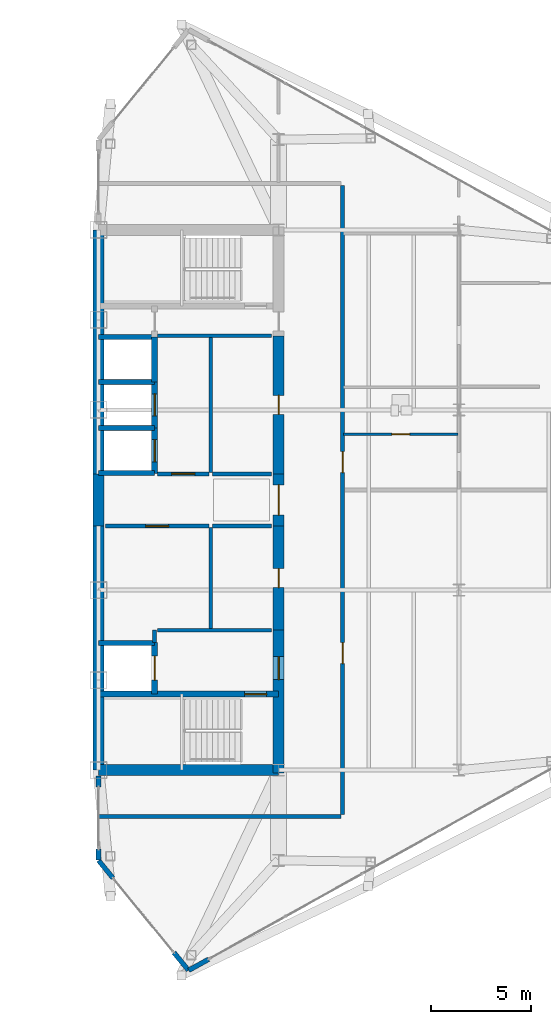
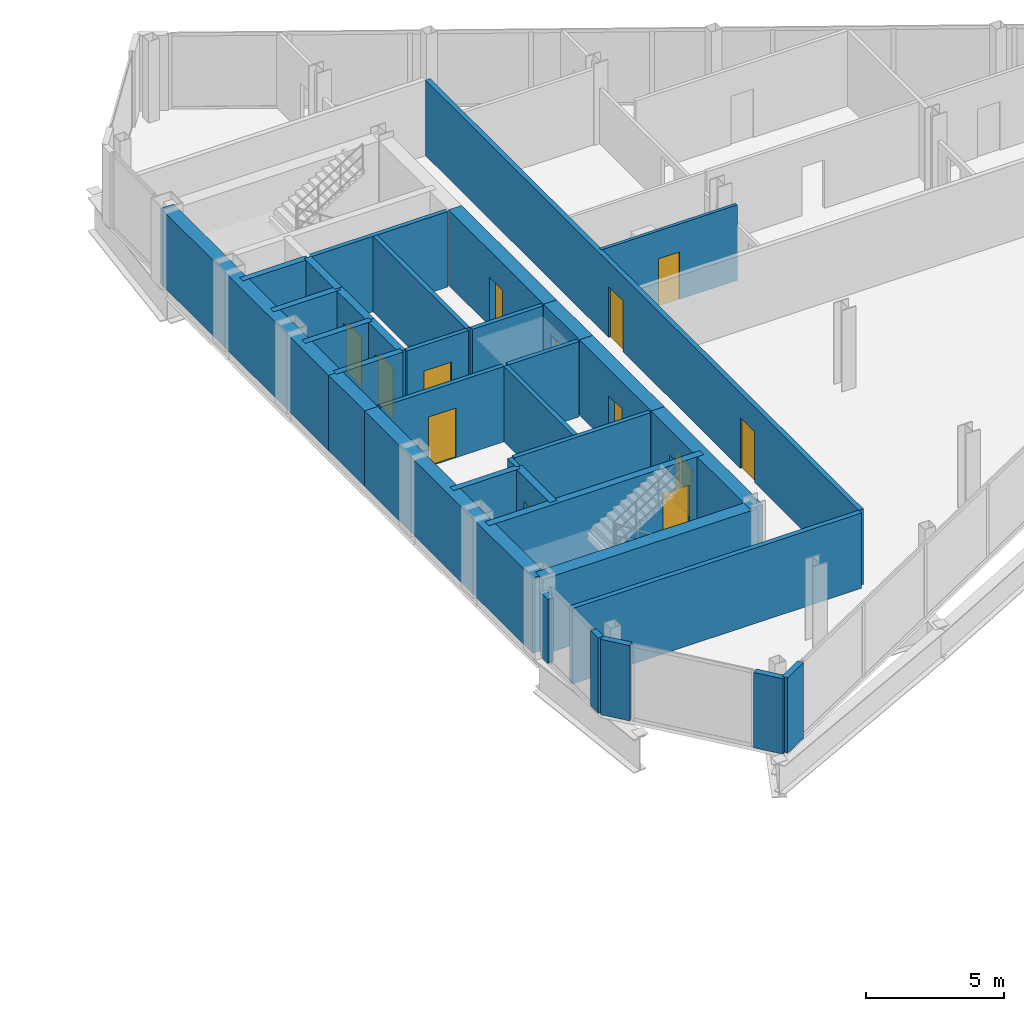
# One storey, part 23 of 28: 35 walls, 13 doors, 13 openings.
"""IFC4 building model written with IfcOpenShell, lengths in metres."""

from ifc_helpers import new_model, si_unit, direction, frame, frame_2d, origin, place, context, subcontext, project, spatial, rectangle, extrude, source, transform, mapped, material, layer, layer_set, type_object, type_shapes, element, fill, save


model = new_model("IFC4")

# Units and contexts
model_context = context("Model", 3, precision=1e-05, world=origin(), true_north=direction((0.0, 1.0)))
body_context = subcontext(model_context, "Body", "Model", "MODEL_VIEW")
ifc_project = project(units=[si_unit("LENGTHUNIT", "METRE"), si_unit("AREAUNIT", "SQUARE_METRE"), si_unit("VOLUMEUNIT", "CUBIC_METRE"), si_unit("PLANEANGLEUNIT", "RADIAN"), si_unit("MASSUNIT", "GRAM", prefix="KILO")], contexts=[model_context])

# Site, building, storey
site_placement = place(None, origin())
site = spatial("IfcSite", under=ifc_project, at=site_placement, CompositionType="ELEMENT")
building_placement = place(site_placement, origin())
building = spatial("IfcBuilding", under=site, at=building_placement, Name="Seokmaru Belvedere", CompositionType="ELEMENT")
storey_placement = place(building_placement, frame((0.0, 0.0, 158.39990234375)))
storey = spatial("IfcBuildingStorey", under=building, at=storey_placement, Name="L42", CompositionType="ELEMENT", Elevation=158.39990234375)

# Walls
ifc_material_1 = material(Name="Fire-Rated Gypsum Shaftwall")
ifc_layer_1 = layer(ifc_material_1, 0.179931640625)
ifc_layer_set_1 = layer_set([ifc_layer_1], Name="Fire-Rated Gypsum Shaftwall")
wall_type_1 = type_object("IfcWallType", Name="Core Service Fire Partition 180", PredefinedType="PARTITIONING", material=ifc_layer_set_1)
wall_1_placement = place(storey_placement, frame((30.449951171875, -6.5, 0.0), z_axis=(0.0, 0.0, 1.0), x_axis=(1.0, 0.0, 0.0)))
element("IfcWall", 1, at=wall_1_placement, inside=storey, type_object=wall_type_1, Name="L42 East Firefighting Lobby Partition", PredefinedType="PARTITIONING", context=body_context, shape_type="SweptSolid", body=[
    extrude(rectangle(XDim=5.699951171875, YDim=0.179931640625, at=frame_2d((2.85009765625, 0.0))), origin(), (0.0, 0.0, 1.0), 3.340087890625),
])
wall_2_placement = place(storey_placement, frame((30.300048828125, -7.1201171875, 0.0), z_axis=(0.0, 0.0, 1.0), x_axis=(0.0, 1.0, 0.0)))
element("IfcWall", 2, at=wall_2_placement, inside=storey, type_object=wall_type_1, Name="L42 East Firefighting Lobby East Closure Wall", PredefinedType="PARTITIONING", context=body_context, shape_type="SweptSolid", body=[
    extrude(rectangle(XDim=0.6201171875, YDim=0.179931640625, at=frame_2d((0.31005859375, 0.0))), origin(), (0.0, 0.0, 1.0), 3.340087890625),
])
wall_3_placement = place(storey_placement, frame((30.449951171875, 8.199951171875, 0.0), z_axis=(0.0, 0.0, 1.0), x_axis=(1.0, 0.0, 0.0)))
element("IfcWall", 3, at=wall_3_placement, inside=storey, type_object=wall_type_1, Name="L42 East Smokeproof Vestibule Partition", PredefinedType="PARTITIONING", context=body_context, shape_type="SweptSolid", body=[
    extrude(rectangle(XDim=5.699951171875, YDim=0.179931640625, at=frame_2d((2.85009765625, 0.0))), origin(), (0.0, 0.0, 1.0), 3.340087890625),
])
wall_4_placement = place(storey_placement, frame((33.10009765625, -6.419921875, 0.0), z_axis=(0.0, 0.0, 1.0), x_axis=(0.0, 1.0, 0.0)))
element("IfcWall", 4, at=wall_4_placement, inside=storey, type_object=wall_type_1, Name="L42 East South Core Service Back Wall", PredefinedType="PARTITIONING", context=body_context, shape_type="SweptSolid", body=[
    extrude(rectangle(XDim=5.0400390625, YDim=0.179931640625, at=frame_2d((2.52001953125, 0.0))), origin(), (0.0, 0.0, 1.0), 3.340087890625),
])
wall_5_placement = place(storey_placement, frame((33.10009765625, 1.3798828125, 0.0), z_axis=(0.0, 0.0, 1.0), x_axis=(0.0, 1.0, 0.0)))
element("IfcWall", 5, at=wall_5_placement, inside=storey, type_object=wall_type_1, Name="L42 East North Core Service Back Wall", PredefinedType="PARTITIONING", context=body_context, shape_type="SweptSolid", body=[
    extrude(rectangle(XDim=6.740234375, YDim=0.179931640625, at=frame_2d((3.3701171875, 0.0))), origin(), (0.0, 0.0, 1.0), 3.340087890625),
])

# Wall, opening, door
wall_6_placement = place(storey_placement, frame((27.85009765625, -1.300048828125, 0.0), z_axis=(0.0, 0.0, 1.0), x_axis=(1.0, 0.0, 0.0)))
wall_6 = element("IfcWall", 6, at=wall_6_placement, inside=storey, type_object=wall_type_1, Name="L42 East South Lift Lobby Foyer Wall", PredefinedType="PARTITIONING", context=body_context, shape_type="SweptSolid", body=[
    extrude(rectangle(XDim=5.169921875, YDim=0.179931640625, at=frame_2d((2.5849609375, 0.0))), origin(), (0.0, 0.0, 1.0), 3.340087890625),
])
opening_1_placement = place(wall_6_placement, frame((2.010009765625, 0.0, 0.0)))
opening_1 = element("IfcOpeningElement", 7, at=opening_1_placement, cuts=wall_6, Name="Opening D02", PredefinedType="OPENING", context=body_context, shape_type="SweptSolid", body=[
    extrude(rectangle(XDim=1.14990234375, YDim=2.199951171875, at=frame_2d((0.574951171875, 1.10009765625))), frame((0.0, 0.10009765625, 0.0), z_axis=(0.0, -1.0, 0.0), x_axis=(1.0, 0.0, 0.0)), (0.0, 0.0, 1.0), 0.199951171875),
])
ifc_material_2 = material(Name="Fire-Rated Steel Leaf", Category="steel")
door_type_1 = type_object("IfcDoorType", Name="Lobby and Vestibule Fire Door 1150x2200", OperationType="NOTDEFINED", PredefinedType="DOOR", material=ifc_material_2)
shared_shape_1 = source(origin(), body_context, "Body", "SweptSolid", [
    extrude(rectangle(XDim=1.14990234375, YDim=2.199951171875, at=frame_2d((0.574951171875, 1.10009765625))), frame((0.0, 0.02490234375, 0.0), z_axis=(0.0, -1.0, 0.0), x_axis=(1.0, 0.0, 0.0)), (0.0, 0.0, 1.0), 0.050048828125),
])
type_shapes(door_type_1, [shared_shape_1])
door_1_placement = place(opening_1_placement, origin())
door_1 = element("IfcDoor", 8, at=door_1_placement, inside=storey, type_object=door_type_1, Name="L42 East South Core Foyer Door", OperationType="SINGLE_SWING_RIGHT", OverallHeight=2.199951171875, OverallWidth=1.14990234375, PredefinedType="DOOR", context=body_context, shape_type="MappedRepresentation", body=[
    mapped(shared_shape_1, transform((0.0, 0.0, 0.0), scale=1.0)),
])
fill(opening_1, door_1)

wall_7_placement = place(storey_placement, frame((30.449951171875, 1.300048828125, 0.0), z_axis=(0.0, 0.0, 1.0), x_axis=(1.0, 0.0, 0.0)))
wall_7 = element("IfcWall", 9, at=wall_7_placement, inside=storey, type_object=wall_type_1, Name="L42 East North Lift Lobby Foyer Wall", PredefinedType="PARTITIONING", context=body_context, shape_type="SweptSolid", body=[
    extrude(rectangle(XDim=2.570068359375, YDim=0.179931640625, at=frame_2d((1.28515625, 0.0))), origin(), (0.0, 0.0, 1.0), 3.340087890625),
])
opening_2_placement = place(wall_7_placement, frame((0.7099609375, 0.0, 0.0)))
opening_2 = element("IfcOpeningElement", 10, at=opening_2_placement, cuts=wall_7, Name="Opening D02", PredefinedType="OPENING", context=body_context, shape_type="SweptSolid", body=[
    extrude(rectangle(XDim=1.14990234375, YDim=2.199951171875, at=frame_2d((0.574951171875, 1.10009765625))), frame((0.0, 0.10009765625, 0.0), z_axis=(0.0, -1.0, 0.0), x_axis=(1.0, 0.0, 0.0)), (0.0, 0.0, 1.0), 0.199951171875),
])
door_2_placement = place(opening_2_placement, origin())
door_2 = element("IfcDoor", 11, at=door_2_placement, inside=storey, type_object=door_type_1, Name="L42 East North Lift Lobby Door", OperationType="SINGLE_SWING_LEFT", OverallHeight=2.199951171875, OverallWidth=1.14990234375, PredefinedType="DOOR", context=body_context, shape_type="MappedRepresentation", body=[
    mapped(shared_shape_1, transform((0.0, 0.0, 0.0), scale=1.0)),
])
fill(opening_2, door_2)

# Walls
for number, where, z_axis, x_axis, name in (
    (12, (33.199951171875, -1.300048828125, 0.0), (0.0, 0.0, 1.0), (1.0, 0.0, 0.0), "L42 East Foyer Side Wall S"),
    (13, (33.199951171875, 1.300048828125, 0.0), (0.0, 0.0, 1.0), (1.0, 0.0, 0.0), "L42 East Foyer Side Wall N"),
):
    element("IfcWall", number, at=place(storey_placement, frame(where, z_axis=z_axis, x_axis=x_axis)), inside=storey, type_object=wall_type_1, Name=name, PredefinedType="PARTITIONING", context=body_context, shape_type="SweptSolid", body=[
        extrude(rectangle(XDim=2.949951171875, YDim=0.179931640625, at=frame_2d((1.47509765625, 0.0))), origin(), (0.0, 0.0, 1.0), 3.340087890625),
    ])
ifc_material_3 = material(Name="Concrete C50 (50 MPa)", Category="concrete")
ifc_layer_2 = layer(ifc_material_3, 0.25)
ifc_layer_set_2 = layer_set([ifc_layer_2], Name="Concrete C50 (50 MPa)")
wall_type_2 = type_object("IfcWallType", Name="Hoistway Transverse Concrete Divider Wall 250", PredefinedType="SHEAR", material=ifc_layer_set_2)
for number, where, z_axis, x_axis, name in (
    (14, (27.5, -7.14990234375, 0.0), (0.0, 0.0, 1.0), (1.0, 0.0, 0.0), "L42 East Hoistway Divider Core Wall 1"),
    (15, (27.5, 1.35009765625, 0.0), (0.0, 0.0, 1.0), (1.0, 0.0, 0.0), "L42 East Hoistway Divider Core Wall 2"),
    (16, (27.5, 3.60009765625, 0.0), (0.0, 0.0, 1.0), (1.0, 0.0, 0.0), "L42 East Hoistway Divider Core Wall 3"),
    (17, (27.5, 5.89990234375, 0.0), (0.0, 0.0, 1.0), (1.0, 0.0, 0.0), "L42 East Hoistway Divider Core Wall 4"),
    (18, (27.5, 8.14990234375, 0.0), (0.0, 0.0, 1.0), (1.0, 0.0, 0.0), "L42 East Hoistway Divider Core Wall 5"),
):
    element("IfcWall", number, at=place(storey_placement, frame(where, z_axis=z_axis, x_axis=x_axis)), inside=storey, type_object=wall_type_2, Name=name, PredefinedType="SHEAR", context=body_context, shape_type="SweptSolid", body=[
        extrude(rectangle(XDim=2.800048828125, YDim=0.25, at=frame_2d((1.39990234375, 0.0))), origin(), (0.0, 0.0, 1.0), 3.340087890625),
    ])
ifc_layer_3 = layer(ifc_material_1, 0.199951171875)
ifc_layer_set_3 = layer_set([ifc_layer_3], Name="Fire-Rated Gypsum Shaftwall")
wall_type_3 = type_object("IfcWallType", Name="Inter-Tenancy Fire Compartment Partition 200", PredefinedType="PARTITIONING", material=ifc_layer_set_3)
wall_8_placement = place(storey_placement, frame((27.5, -15.800048828125, 0.0), z_axis=(0.0, 0.0, 1.0), x_axis=(1.0, 0.0, 0.0)))
element("IfcWall", 19, at=wall_8_placement, inside=storey, type_object=wall_type_3, Name="L42 Interior Partition 002", PredefinedType="PARTITIONING", context=body_context, shape_type="SweptSolid", body=[
    extrude(rectangle(XDim=12.114990234375, YDim=0.199951171875, at=frame_2d((6.0576171875, 0.0))), origin(), (0.0, 0.0, 1.0), 3.340087890625),
])

# Wall, openings, doors
wall_9_placement = place(storey_placement, frame((39.699951171875, -15.715087890625, 0.0), z_axis=(0.0, 0.0, 1.0), x_axis=(0.0, 1.0, 0.0)))
wall_9 = element("IfcWall", 20, at=wall_9_placement, inside=storey, type_object=wall_type_3, Name="L42 Interior Partition 030", PredefinedType="PARTITIONING", context=body_context, shape_type="SweptSolid", body=[
    extrude(rectangle(XDim=31.43017578125, YDim=0.199951171875, at=frame_2d((15.715087890625, 0.0))), origin(), (0.0, 0.0, 1.0), 3.340087890625),
])
opening_3_placement = place(wall_9_placement, frame((7.5400390625, 0.0, 0.0)))
opening_3 = element("IfcOpeningElement", 21, at=opening_3_placement, cuts=wall_9, Name="Opening D03", PredefinedType="OPENING", context=body_context, shape_type="SweptSolid", body=[
    extrude(rectangle(XDim=1.050048828125, YDim=2.25, at=frame_2d((0.52490234375, 1.125))), frame((0.0, 0.10986328125, 0.0), z_axis=(0.0, -1.0, 0.0), x_axis=(1.0, 0.0, 0.0)), (0.0, 0.0, 1.0), 0.219970703125),
])
opening_4_placement = place(wall_9_placement, frame((17.08740234375, 0.0, 0.0)))
opening_4 = element("IfcOpeningElement", 22, at=opening_4_placement, cuts=wall_9, Name="Opening D03", PredefinedType="OPENING", context=body_context, shape_type="SweptSolid", body=[
    extrude(rectangle(XDim=1.050048828125, YDim=2.25, at=frame_2d((0.52490234375, 1.125))), frame((0.0, 0.10986328125, 0.0), z_axis=(0.0, -1.0, 0.0), x_axis=(1.0, 0.0, 0.0)), (0.0, 0.0, 1.0), 0.219970703125),
])
door_type_2 = type_object("IfcDoorType", Name="Apartment Entrance Fire Door 1050x2250", OperationType="NOTDEFINED", PredefinedType="DOOR", material=ifc_material_2)
shared_shape_2 = source(origin(), body_context, "Body", "SweptSolid", [
    extrude(rectangle(XDim=1.050048828125, YDim=2.25, at=frame_2d((0.52490234375, 1.125))), frame((0.0, 0.02490234375, 0.0), z_axis=(0.0, -1.0, 0.0), x_axis=(1.0, 0.0, 0.0)), (0.0, 0.0, 1.0), 0.050048828125),
])
type_shapes(door_type_2, [shared_shape_2])
door_3_placement = place(opening_3_placement, origin())
door_3 = element("IfcDoor", 23, at=door_3_placement, inside=storey, type_object=door_type_2, Name="L42 Interior Door 023", OperationType="SINGLE_SWING_LEFT", OverallHeight=2.25, OverallWidth=1.050048828125, PredefinedType="DOOR", context=body_context, shape_type="MappedRepresentation", body=[
    mapped(shared_shape_2, transform((0.0, 0.0, 0.0), scale=1.0)),
])
fill(opening_3, door_3)
door_4_placement = place(opening_4_placement, origin())
door_4 = element("IfcDoor", 24, at=door_4_placement, inside=storey, type_object=door_type_2, Name="L42 Interior Door 024", OperationType="SINGLE_SWING_RIGHT", OverallHeight=2.25, OverallWidth=1.050048828125, PredefinedType="DOOR", context=body_context, shape_type="MappedRepresentation", body=[
    mapped(shared_shape_2, transform((0.0, 0.0, 0.0), scale=1.0)),
])
fill(opening_4, door_4)

# Wall, opening, door
ifc_layer_4 = layer(ifc_material_3, 0.300048828125)
ifc_layer_set_4 = layer_set([ifc_layer_4], Name="Concrete C50 (50 MPa)")
wall_type_4 = type_object("IfcWallType", Name="Internal Core Stair and Hoistway Wall 300", PredefinedType="SHEAR", material=ifc_layer_set_4)
wall_10_placement = place(storey_placement, frame((27.5, -9.699951171875, 0.0), z_axis=(0.0, 0.0, 1.0), x_axis=(1.0, 0.0, 0.0)))
wall_10 = element("IfcWall", 25, at=wall_10_placement, inside=storey, type_object=wall_type_4, Name="L42 East Stair ST-1 Enclosure Wall", PredefinedType="SHEAR", context=body_context, shape_type="SweptSolid", body=[
    extrude(rectangle(XDim=9.0, YDim=0.300048828125, at=frame_2d((4.5, 0.0))), origin(), (0.0, 0.0, 1.0), 3.340087890625),
])
opening_5_placement = place(wall_10_placement, frame((7.300048828125, 0.0, 0.0)))
opening_5 = element("IfcOpeningElement", 26, at=opening_5_placement, cuts=wall_10, Name="Opening D01", PredefinedType="OPENING", context=body_context, shape_type="SweptSolid", body=[
    extrude(rectangle(XDim=1.10009765625, YDim=2.199951171875, at=frame_2d((0.550048828125, 1.10009765625))), frame((0.0, 0.16015625, 0.0), z_axis=(0.0, -1.0, 0.0), x_axis=(1.0, 0.0, 0.0)), (0.0, 0.0, 1.0), 0.320068359375),
])
door_type_3 = type_object("IfcDoorType", Name="Special Escape Stair Smokeproof Fire Door 1100x2200", OperationType="NOTDEFINED", PredefinedType="DOOR", material=ifc_material_2)
shared_shape_3 = source(origin(), body_context, "Body", "SweptSolid", [
    extrude(rectangle(XDim=1.10009765625, YDim=2.199951171875, at=frame_2d((0.550048828125, 1.10009765625))), frame((0.0, 0.02490234375, 0.0), z_axis=(0.0, -1.0, 0.0), x_axis=(1.0, 0.0, 0.0)), (0.0, 0.0, 1.0), 0.050048828125),
])
type_shapes(door_type_3, [shared_shape_3])
door_5_placement = place(opening_5_placement, frame((1.10009765625, 0.0, 0.0), z_axis=(0.0, 0.0, 1.0), x_axis=(-1.0, 0.0, 0.0)))
door_5 = element("IfcDoor", 27, at=door_5_placement, inside=storey, type_object=door_type_3, Name="L42 East Special Escape Stair ST-1 Door", OperationType="SINGLE_SWING_RIGHT", OverallHeight=2.199951171875, OverallWidth=1.10009765625, PredefinedType="DOOR", context=body_context, shape_type="MappedRepresentation", body=[
    mapped(shared_shape_3, transform((0.0, 0.0, 0.0), scale=1.0)),
])
fill(opening_5, door_5)

wall_11_placement = place(storey_placement, frame((30.300048828125, -9.679931640625, 0.0), z_axis=(0.0, 0.0, 1.0), x_axis=(0.0, 1.0, 0.0)))
wall_11 = element("IfcWall", 28, at=wall_11_placement, inside=storey, type_object=wall_type_4, Name="L42 East Firefighting Lift Shaft Front Wall", PredefinedType="SHEAR", context=body_context, shape_type="SweptSolid", body=[
    extrude(rectangle(XDim=2.559814453125, YDim=0.300048828125, at=frame_2d((1.27978515625, 0.0))), origin(), (0.0, 0.0, 1.0), 3.340087890625),
])
opening_6_placement = place(wall_11_placement, frame((0.679931640625, 0.0, 0.0)))
opening_6 = element("IfcOpeningElement", 29, at=opening_6_placement, cuts=wall_11, Name="Opening LD2", PredefinedType="OPENING", context=body_context, shape_type="SweptSolid", body=[
    extrude(rectangle(XDim=1.199951171875, YDim=2.25, at=frame_2d((0.60009765625, 1.125))), frame((0.0, 0.16015625, 0.0), z_axis=(0.0, -1.0, 0.0), x_axis=(1.0, 0.0, 0.0)), (0.0, 0.0, 1.0), 0.320068359375),
])
ifc_material_4 = material(Name="Stainless Steel 316", Category="steel")
door_type_4 = type_object("IfcDoorType", Name="Firefighting Lift Sliding Landing Door 1200x2250", OperationType="DOUBLE_DOOR_SLIDING", PredefinedType="DOOR", material=ifc_material_4)
shared_shape_4 = source(origin(), body_context, "Body", "SweptSolid", [
    extrude(rectangle(XDim=1.199951171875, YDim=2.25, at=frame_2d((0.60009765625, 1.125))), frame((0.0, 0.02490234375, 0.0), z_axis=(0.0, -1.0, 0.0), x_axis=(1.0, 0.0, 0.0)), (0.0, 0.0, 1.0), 0.050048828125),
])
type_shapes(door_type_4, [shared_shape_4])
door_6_placement = place(opening_6_placement, origin())
door_6 = element("IfcDoor", 30, at=door_6_placement, inside=storey, type_object=door_type_4, Name="L42 East Firefighting Lift Landing Door", OperationType="DOUBLE_DOOR_SLIDING", OverallHeight=2.25, OverallWidth=1.199951171875, PredefinedType="DOOR", context=body_context, shape_type="MappedRepresentation", body=[
    mapped(shared_shape_4, transform((0.0, 0.0, 0.0), scale=1.0)),
])
fill(opening_6, door_6)

wall_12_placement = place(storey_placement, frame((30.300048828125, 1.320068359375, 0.0), z_axis=(0.0, 0.0, 1.0), x_axis=(0.0, 1.0, 0.0)))
wall_12 = element("IfcWall", 31, at=wall_12_placement, inside=storey, type_object=wall_type_4, Name="L42 East North Hoistway Wall PH1", PredefinedType="SHEAR", context=body_context, shape_type="SweptSolid", body=[
    extrude(rectangle(XDim=2.280029296875, YDim=0.300048828125, at=frame_2d((1.14013671875, 0.0))), origin(), (0.0, 0.0, 1.0), 3.340087890625),
])
opening_7_placement = place(wall_12_placement, frame((0.590087890625, 0.0, 0.0)))
opening_7 = element("IfcOpeningElement", 32, at=opening_7_placement, cuts=wall_12, Name="Opening LD1", PredefinedType="OPENING", context=body_context, shape_type="SweptSolid", body=[
    extrude(rectangle(XDim=1.10009765625, YDim=2.199951171875, at=frame_2d((0.550048828125, 1.10009765625))), frame((0.0, 0.16015625, 0.0), z_axis=(0.0, -1.0, 0.0), x_axis=(1.0, 0.0, 0.0)), (0.0, 0.0, 1.0), 0.320068359375),
])
door_type_5 = type_object("IfcDoorType", Name="Passenger Lift Sliding Landing Door 1100x2200", OperationType="DOUBLE_DOOR_SLIDING", PredefinedType="DOOR", material=ifc_material_4)
shared_shape_5 = source(origin(), body_context, "Body", "SweptSolid", [
    extrude(rectangle(XDim=1.10009765625, YDim=2.199951171875, at=frame_2d((0.550048828125, 1.10009765625))), frame((0.0, 0.02490234375, 0.0), z_axis=(0.0, -1.0, 0.0), x_axis=(1.0, 0.0, 0.0)), (0.0, 0.0, 1.0), 0.050048828125),
])
type_shapes(door_type_5, [shared_shape_5])
door_7_placement = place(opening_7_placement, origin())
door_7 = element("IfcDoor", 33, at=door_7_placement, inside=storey, type_object=door_type_5, Name="L42 East High-Rise Lift PH-1 Landing Door", OperationType="DOUBLE_DOOR_SLIDING", OverallHeight=2.199951171875, OverallWidth=1.10009765625, PredefinedType="DOOR", context=body_context, shape_type="MappedRepresentation", body=[
    mapped(shared_shape_5, transform((0.0, 0.0, 0.0), scale=1.0)),
])
fill(opening_7, door_7)

wall_13_placement = place(storey_placement, frame((30.300048828125, 3.60009765625, 0.0), z_axis=(0.0, 0.0, 1.0), x_axis=(0.0, 1.0, 0.0)))
wall_13 = element("IfcWall", 34, at=wall_13_placement, inside=storey, type_object=wall_type_4, Name="L42 East North Hoistway Wall PH2", PredefinedType="SHEAR", context=body_context, shape_type="SweptSolid", body=[
    extrude(rectangle(XDim=2.2998046875, YDim=0.300048828125, at=frame_2d((1.14990234375, 0.0))), origin(), (0.0, 0.0, 1.0), 3.340087890625),
])
opening_8_placement = place(wall_13_placement, frame((0.60009765625, 0.0, 0.0)))
opening_8 = element("IfcOpeningElement", 35, at=opening_8_placement, cuts=wall_13, Name="Opening LD1", PredefinedType="OPENING", context=body_context, shape_type="SweptSolid", body=[
    extrude(rectangle(XDim=1.10009765625, YDim=2.199951171875, at=frame_2d((0.550048828125, 1.10009765625))), frame((0.0, 0.16015625, 0.0), z_axis=(0.0, -1.0, 0.0), x_axis=(1.0, 0.0, 0.0)), (0.0, 0.0, 1.0), 0.320068359375),
])
door_8_placement = place(opening_8_placement, origin())
door_8 = element("IfcDoor", 36, at=door_8_placement, inside=storey, type_object=door_type_5, Name="L42 East High-Rise Lift PH-2 Landing Door", OperationType="DOUBLE_DOOR_SLIDING", OverallHeight=2.199951171875, OverallWidth=1.10009765625, PredefinedType="DOOR", context=body_context, shape_type="MappedRepresentation", body=[
    mapped(shared_shape_5, transform((0.0, 0.0, 0.0), scale=1.0)),
])
fill(opening_8, door_8)

# Walls
wall_14_placement = place(storey_placement, frame((30.300048828125, 5.89990234375, 0.0), z_axis=(0.0, 0.0, 1.0), x_axis=(0.0, 1.0, 0.0)))
element("IfcWall", 37, at=wall_14_placement, inside=storey, type_object=wall_type_4, Name="L42 East North Hoistway Wall OBS", PredefinedType="SHEAR", context=body_context, shape_type="SweptSolid", body=[
    extrude(rectangle(XDim=2.25, YDim=0.300048828125, at=frame_2d((1.125, 0.0))), origin(), (0.0, 0.0, 1.0), 3.340087890625),
])
ifc_layer_5 = layer(ifc_material_3, 0.550048828125)
ifc_layer_set_5 = layer_set([ifc_layer_5], Name="Concrete C50 (50 MPa)")
wall_type_5 = type_object("IfcWallType", Name="Mid-High Reinforced Concrete Core Wall 550", PredefinedType="SHEAR", material=ifc_layer_set_5)
for number, where, z_axis, x_axis, name in (
    (38, (27.5, -13.5, 0.0), (0.0, 0.0, 1.0), (0.0, 1.0, 0.0), "L42 East Portal Spine Core Wall South"),
    (39, (27.5, 1.300048828125, 0.0), (0.0, 0.0, 1.0), (0.0, 1.0, 0.0), "L42 East Portal Spine Core Wall North"),
):
    element("IfcWall", number, at=place(storey_placement, frame(where, z_axis=z_axis, x_axis=x_axis)), inside=storey, type_object=wall_type_5, Name=name, PredefinedType="SHEAR", context=body_context, shape_type="SweptSolid", body=[
        extrude(rectangle(XDim=12.199951171875, YDim=0.550048828125, at=frame_2d((6.10009765625, 0.0))), origin(), (0.0, 0.0, 1.0), 3.340087890625),
    ])
wall_15_placement = place(storey_placement, frame((27.5, -1.300048828125, 0.0), z_axis=(0.0, 0.0, 1.0), x_axis=(0.0, 1.0, 0.0)))
element("IfcWall", 40, at=wall_15_placement, inside=storey, type_object=wall_type_5, Name="L42 East Portal Spine Core Wall Center", PredefinedType="SHEAR", context=body_context, shape_type="SweptSolid", body=[
    extrude(rectangle(XDim=2.60009765625, YDim=0.550048828125, at=frame_2d((1.300048828125, 0.0))), origin(), (0.0, 0.0, 1.0), 3.340087890625),
])
wall_16_placement = place(storey_placement, frame((27.5, -13.5, 0.0), z_axis=(0.0, 0.0, 1.0), x_axis=(1.0, 0.0, 0.0)))
element("IfcWall", 41, at=wall_16_placement, inside=storey, type_object=wall_type_5, Name="L42 East South Core Wall", PredefinedType="SHEAR", context=body_context, shape_type="SweptSolid", body=[
    extrude(rectangle(XDim=9.0, YDim=0.550048828125, at=frame_2d((4.5, 0.0))), origin(), (0.0, 0.0, 1.0), 3.340087890625),
])

# Wall, opening, door
wall_17_placement = place(storey_placement, frame((36.5, -13.64990234375, 0.0), z_axis=(0.0, 0.0, 1.0), x_axis=(0.0, 1.0, 0.0)))
wall_17 = element("IfcWall", 42, at=wall_17_placement, inside=storey, type_object=wall_type_5, Name="L42 East West Core Wall FF", PredefinedType="SHEAR", context=body_context, shape_type="SweptSolid", body=[
    extrude(rectangle(XDim=7.14990234375, YDim=0.550048828125, at=frame_2d((3.574951171875, 0.0))), origin(), (0.0, 0.0, 1.0), 3.340087890625),
])
opening_9_placement = place(wall_17_placement, frame((4.675048828125, 0.0, 0.0)))
opening_9 = element("IfcOpeningElement", 43, at=opening_9_placement, cuts=wall_17, Name="Opening D02", PredefinedType="OPENING", context=body_context, shape_type="SweptSolid", body=[
    extrude(rectangle(XDim=1.14990234375, YDim=2.199951171875, at=frame_2d((0.574951171875, 1.10009765625))), frame((0.0, 0.28515625, 0.0), z_axis=(0.0, -1.0, 0.0), x_axis=(1.0, 0.0, 0.0)), (0.0, 0.0, 1.0), 0.570068359375),
])
door_9_placement = place(opening_9_placement, origin())
door_9 = element("IfcDoor", 44, at=door_9_placement, inside=storey, type_object=door_type_1, Name="L42 East Firefighting Lobby Door", OperationType="SINGLE_SWING_RIGHT", OverallHeight=2.199951171875, OverallWidth=1.14990234375, PredefinedType="DOOR", context=body_context, shape_type="MappedRepresentation", body=[
    mapped(shared_shape_1, transform((0.0, 0.0, 0.0), scale=1.0)),
])
fill(opening_9, door_9)

wall_18_placement = place(storey_placement, frame((36.5, -1.300048828125, 0.0), z_axis=(0.0, 0.0, 1.0), x_axis=(0.0, 1.0, 0.0)))
wall_18 = element("IfcWall", 45, at=wall_18_placement, inside=storey, type_object=wall_type_5, Name="L42 East West Core Wall FOY", PredefinedType="SHEAR", context=body_context, shape_type="SweptSolid", body=[
    extrude(rectangle(XDim=2.60009765625, YDim=0.550048828125, at=frame_2d((1.300048828125, 0.0))), origin(), (0.0, 0.0, 1.0), 3.340087890625),
])
opening_10_placement = place(wall_18_placement, frame((0.550048828125, 0.0, 0.0)))
opening_10 = element("IfcOpeningElement", 46, at=opening_10_placement, cuts=wall_18, Name="Opening D08", PredefinedType="OPENING", context=body_context, shape_type="SweptSolid", body=[
    extrude(rectangle(XDim=1.5, YDim=2.300048828125, at=frame_2d((0.75, 1.14990234375))), frame((0.0, 0.28515625, 0.0), z_axis=(0.0, -1.0, 0.0), x_axis=(1.0, 0.0, 0.0)), (0.0, 0.0, 1.0), 0.570068359375),
])
door_type_6 = type_object("IfcDoorType", Name="Cross-Corridor Compartment Double Fire Door 1500x2300", OperationType="DOUBLE_SWING_LEFT", PredefinedType="DOOR", material=ifc_material_2)
shared_shape_6 = source(origin(), body_context, "Body", "SweptSolid", [
    extrude(rectangle(XDim=1.5, YDim=2.300048828125, at=frame_2d((0.75, 1.14990234375))), frame((0.0, 0.02490234375, 0.0), z_axis=(0.0, -1.0, 0.0), x_axis=(1.0, 0.0, 0.0)), (0.0, 0.0, 1.0), 0.050048828125),
])
type_shapes(door_type_6, [shared_shape_6])
door_10_placement = place(opening_10_placement, origin())
door_10 = element("IfcDoor", 47, at=door_10_placement, inside=storey, type_object=door_type_6, Name="L42 East Core Foyer Compartment Door", OperationType="DOUBLE_SWING_LEFT", OverallHeight=2.300048828125, OverallWidth=1.5, PredefinedType="DOOR", context=body_context, shape_type="MappedRepresentation", body=[
    mapped(shared_shape_6, transform((0.0, 0.0, 0.0), scale=1.0)),
])
fill(opening_10, door_10)

wall_19_placement = place(storey_placement, frame((36.5, -6.5, 0.0), z_axis=(0.0, 0.0, 1.0), x_axis=(0.0, 1.0, 0.0)))
wall_19 = element("IfcWall", 48, at=wall_19_placement, inside=storey, type_object=wall_type_5, Name="L42 East West Core Wall CS1", PredefinedType="SHEAR", context=body_context, shape_type="SweptSolid", body=[
    extrude(rectangle(XDim=5.199951171875, YDim=0.550048828125, at=frame_2d((2.60009765625, 0.0))), origin(), (0.0, 0.0, 1.0), 3.340087890625),
])
opening_11_placement = place(wall_19_placement, frame((2.125, 0.0, 0.0)))
opening_11 = element("IfcOpeningElement", 49, at=opening_11_placement, cuts=wall_19, Name="Opening D04", PredefinedType="OPENING", context=body_context, shape_type="SweptSolid", body=[
    extrude(rectangle(XDim=0.949951171875, YDim=2.14990234375, at=frame_2d((0.47509765625, 1.074951171875))), frame((0.0, 0.28515625, 0.0), z_axis=(0.0, -1.0, 0.0), x_axis=(1.0, 0.0, 0.0)), (0.0, 0.0, 1.0), 0.570068359375),
])
door_type_7 = type_object("IfcDoorType", Name="Core Service Room Fire Door 950x2150", OperationType="NOTDEFINED", PredefinedType="DOOR", material=ifc_material_2)
shared_shape_7 = source(origin(), body_context, "Body", "SweptSolid", [
    extrude(rectangle(XDim=0.949951171875, YDim=2.14990234375, at=frame_2d((0.47509765625, 1.074951171875))), frame((0.0, 0.02490234375, 0.0), z_axis=(0.0, -1.0, 0.0), x_axis=(1.0, 0.0, 0.0)), (0.0, 0.0, 1.0), 0.050048828125),
])
type_shapes(door_type_7, [shared_shape_7])
door_11_placement = place(opening_11_placement, origin())
door_11 = element("IfcDoor", 50, at=door_11_placement, inside=storey, type_object=door_type_7, Name="L42 East Core Service Room Door 1", OperationType="SINGLE_SWING_RIGHT", OverallHeight=2.14990234375, OverallWidth=0.949951171875, PredefinedType="DOOR", context=body_context, shape_type="MappedRepresentation", body=[
    mapped(shared_shape_7, transform((0.0, 0.0, 0.0), scale=1.0)),
])
fill(opening_11, door_11)

wall_20_placement = place(storey_placement, frame((36.5, 1.300048828125, 0.0), z_axis=(0.0, 0.0, 1.0), x_axis=(0.0, 1.0, 0.0)))
wall_20 = element("IfcWall", 51, at=wall_20_placement, inside=storey, type_object=wall_type_5, Name="L42 East West Core Wall CS2", PredefinedType="SHEAR", context=body_context, shape_type="SweptSolid", body=[
    extrude(rectangle(XDim=6.89990234375, YDim=0.550048828125, at=frame_2d((3.449951171875, 0.0))), origin(), (0.0, 0.0, 1.0), 3.340087890625),
])
opening_12_placement = place(wall_20_placement, frame((2.97509765625, 0.0, 0.0)))
opening_12 = element("IfcOpeningElement", 52, at=opening_12_placement, cuts=wall_20, Name="Opening D04", PredefinedType="OPENING", context=body_context, shape_type="SweptSolid", body=[
    extrude(rectangle(XDim=0.949951171875, YDim=2.14990234375, at=frame_2d((0.47509765625, 1.074951171875))), frame((0.0, 0.28515625, 0.0), z_axis=(0.0, -1.0, 0.0), x_axis=(1.0, 0.0, 0.0)), (0.0, 0.0, 1.0), 0.570068359375),
])
door_12_placement = place(opening_12_placement, origin())
door_12 = element("IfcDoor", 53, at=door_12_placement, inside=storey, type_object=door_type_7, Name="L42 East Core Service Room Door 2", OperationType="SINGLE_SWING_LEFT", OverallHeight=2.14990234375, OverallWidth=0.949951171875, PredefinedType="DOOR", context=body_context, shape_type="MappedRepresentation", body=[
    mapped(shared_shape_7, transform((0.0, 0.0, 0.0), scale=1.0)),
])
fill(opening_12, door_12)

ifc_layer_6 = layer(ifc_material_1, 0.1298828125)
ifc_layer_set_6 = layer_set([ifc_layer_6], Name="Fire-Rated Gypsum Shaftwall")
wall_type_6 = type_object("IfcWallType", Name="Moisture-Resistant Fire-Rated Bathroom Partition 130", PredefinedType="PARTITIONING", material=ifc_layer_set_6)
wall_21_placement = place(storey_placement, frame((39.75, 3.2900390625, 0.0), z_axis=(0.0, 0.0, 1.0), x_axis=(1.0, 0.0, 0.0)))
wall_21 = element("IfcWall", 54, at=wall_21_placement, inside=storey, type_object=wall_type_6, Name="L42 Interior Partition 013", PredefinedType="PARTITIONING", context=body_context, shape_type="SweptSolid", body=[
    extrude(rectangle(XDim=5.699951171875, YDim=0.1298828125, at=frame_2d((2.85009765625, 0.0))), origin(), (0.0, 0.0, 1.0), 3.340087890625),
])
opening_13_placement = place(wall_21_placement, frame((2.409912109375, 0.0, 0.0)))
opening_13 = element("IfcOpeningElement", 55, at=opening_13_placement, cuts=wall_21, Name="Opening D06", PredefinedType="OPENING", context=body_context, shape_type="SweptSolid", body=[
    extrude(rectangle(XDim=0.8798828125, YDim=2.10009765625, at=frame_2d((0.43994140625, 1.050048828125))), frame((0.0, 0.074951171875, 0.0), z_axis=(0.0, -1.0, 0.0), x_axis=(1.0, 0.0, 0.0)), (0.0, 0.0, 1.0), 0.14990234375),
])
ifc_material_5 = material(Name="Engineered White Oak Timber", Category="wood")
door_type_8 = type_object("IfcDoorType", Name="Bathroom and Restroom Fire-Rated Door 880x2100", OperationType="NOTDEFINED", PredefinedType="DOOR", material=ifc_material_5)
shared_shape_8 = source(origin(), body_context, "Body", "SweptSolid", [
    extrude(rectangle(XDim=0.8798828125, YDim=2.10009765625, at=frame_2d((0.43994140625, 1.050048828125))), frame((0.0, 0.02490234375, 0.0), z_axis=(0.0, -1.0, 0.0), x_axis=(1.0, 0.0, 0.0)), (0.0, 0.0, 1.0), 0.050048828125),
])
type_shapes(door_type_8, [shared_shape_8])
door_13_placement = place(opening_13_placement, origin())
door_13 = element("IfcDoor", 56, at=door_13_placement, inside=storey, type_object=door_type_8, Name="L42 Interior Door 025", OperationType="SINGLE_SWING_RIGHT", OverallHeight=2.10009765625, OverallWidth=0.8798828125, PredefinedType="DOOR", context=body_context, shape_type="MappedRepresentation", body=[
    mapped(shared_shape_8, transform((0.0, 0.0, 0.0), scale=1.0)),
])
fill(opening_13, door_13)

# Walls
ifc_material_6 = material(Name="Anodised Bronze Aluminium", Category="aluminium")
ifc_layer_7 = layer(ifc_material_6, 0.239990234375)
ifc_layer_set_7 = layer_set([ifc_layer_7], Name="Anodised Bronze Aluminium")
wall_type_7 = type_object("IfcWallType", Name="Tower Corner Spandrel Closure Wall 240", PredefinedType="SOLIDWALL", material=ifc_layer_set_7)
wall_22_placement = place(storey_placement, frame((32.0087890625, -23.4951171875, 0.0), z_axis=(0.0, 0.0, 1.0), x_axis=(0.87385402111, 0.486188389196, 0.0)))
element("IfcWall", 57, at=wall_22_placement, inside=storey, type_object=wall_type_7, Name="L42 E Corner Closure Pier 1A", PredefinedType="SOLIDWALL", context=body_context, shape_type="SweptSolid", body=[
    extrude(rectangle(XDim=1.139892578125, YDim=0.239990234375, at=frame_2d((0.56982421875, 0.0))), origin(), (0.0, 0.0, 1.0), 3.340087890625),
])
wall_23_placement = place(storey_placement, frame((27.5, -17.97998046875, 0.0), z_axis=(0.0, 0.0, 1.0), x_axis=(0.0, 1.0, 0.0)))
element("IfcWall", 58, at=wall_23_placement, inside=storey, type_object=wall_type_7, Name="L42 E Spine Closure Pier 1A", PredefinedType="SOLIDWALL", context=body_context, shape_type="SweptSolid", body=[
    extrude(rectangle(XDim=0.550048828125, YDim=0.239990234375, at=frame_2d((0.27490234375, 0.0))), origin(), (0.0, 0.0, 1.0), 3.340087890625),
])
wall_24_placement = place(storey_placement, frame((27.5, -14.330078125, 0.0), z_axis=(0.0, 0.0, 1.0), x_axis=(0.0, 1.0, 0.0)))
element("IfcWall", 59, at=wall_24_placement, inside=storey, type_object=wall_type_7, Name="L42 E Spine Closure Pier 1B", PredefinedType="SOLIDWALL", context=body_context, shape_type="SweptSolid", body=[
    extrude(rectangle(XDim=0.550048828125, YDim=0.239990234375, at=frame_2d((0.27490234375, 0.0))), origin(), (0.0, 0.0, 1.0), 2.840087890625),
])
for number, where, z_axis, x_axis, name in (
    (60, (27.50634765625, -18.0078125, 0.0), (0.0, 0.0, 1.0), (0.633249451965, -0.77394775766, 0.0), "L42 E Corner Closure Pier 6A"),
    (61, (31.271728515625, -22.60986328125, 0.0), (0.0, 0.0, 1.0), (0.633249451965, -0.77394775766, 0.0), "L42 E Corner Closure Pier 6B"),
):
    element("IfcWall", number, at=place(storey_placement, frame(where, z_axis=z_axis, x_axis=x_axis)), inside=storey, type_object=wall_type_7, Name=name, PredefinedType="SOLIDWALL", context=body_context, shape_type="SweptSolid", body=[
        extrude(rectangle(XDim=1.14013671875, YDim=0.239990234375, at=frame_2d((0.570068359375, 0.0))), origin(), (0.0, 0.0, 1.0), 3.340087890625),
    ])

save(model, "model.ifc")
